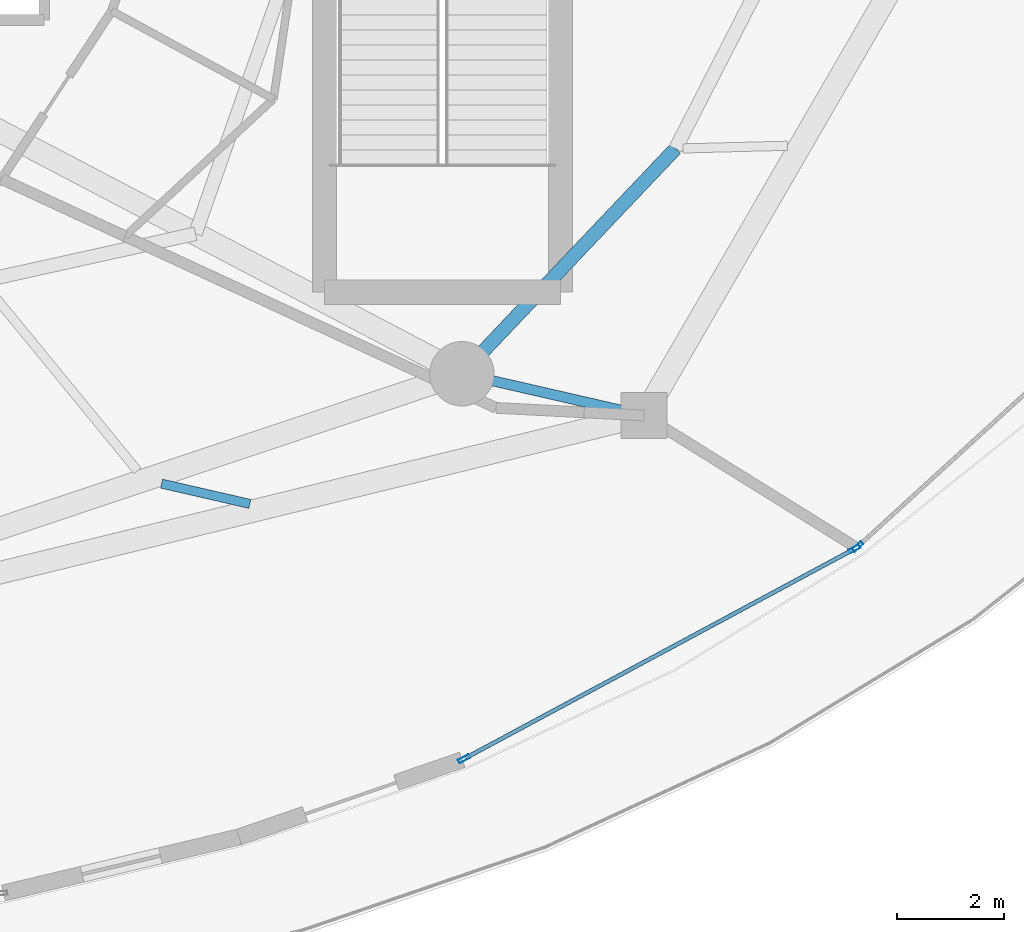
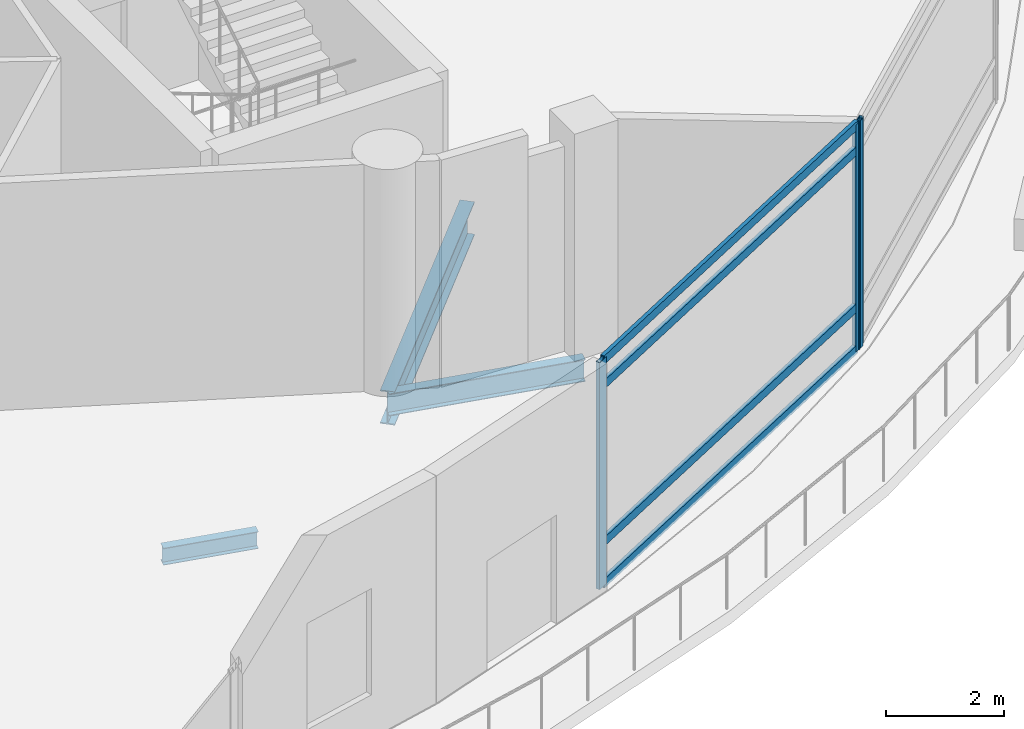
# One storey, part 11 of 36: 7 members, 3 beams, 2 elements without a shape of their own.
"""IFC4 building model written with IfcOpenShell, lengths in metres."""

from ifc_helpers import new_model, si_unit, direction, frame, origin, origin_2d, place, context, subcontext, project, spatial, hollow_rectangle, i_section, extrude, material, layer, layer_set, material_profile, profile_set, type_object, element, aggregate, save


model = new_model("IFC4")

# Units and contexts
model_context = context("Model", 3, precision=1e-05, world=origin(), true_north=direction((0.0, 1.0)))
body_context = subcontext(model_context, "Body", "Model", "MODEL_VIEW")
ifc_project = project(units=[si_unit("LENGTHUNIT", "METRE"), si_unit("AREAUNIT", "SQUARE_METRE"), si_unit("VOLUMEUNIT", "CUBIC_METRE"), si_unit("PLANEANGLEUNIT", "RADIAN"), si_unit("MASSUNIT", "GRAM", prefix="KILO")], contexts=[model_context])

# Site, building, storey
site_placement = place(None, origin())
site = spatial("IfcSite", under=ifc_project, at=site_placement, CompositionType="ELEMENT")
building_placement = place(site_placement, origin())
building = spatial("IfcBuilding", under=site, at=building_placement, Name="Nuhasar Tower", CompositionType="ELEMENT")
storey_placement = place(building_placement, frame((0.0, 0.0, 11.0)))
storey = spatial("IfcBuildingStorey", under=building, at=storey_placement, Name="L02", CompositionType="ELEMENT", Elevation=11.0)

# Beams
ifc_material_1 = material(Name="Steel S355", Category="steel")
ifc_material_profile_1 = material_profile(ifc_material_1, i_section(OverallWidth=0.1708984375, OverallDepth=0.35205078125, WebThickness=0.0068359375, FlangeThickness=0.009765625, at=origin_2d()), Name="W14X30")
ifc_profile_set_1 = profile_set([ifc_material_profile_1], Name="Steel S355")
beam_type_1 = type_object("IfcBeamType", Name="BM-JST-W14X30", PredefinedType="JOIST", material=ifc_profile_set_1)
beam_1_placement = place(storey_placement, frame((51.117919921875, 10.43310546875, -0.47607421875), z_axis=(0.97467582406, -0.223622534626, 0.0), x_axis=(0.223622534626, 0.97467582406, 0.0)))
element("IfcBeam", 1, at=beam_1_placement, inside=storey, type_object=beam_type_1, Name="L02 Podium Secondary Joist 04", PredefinedType="JOIST", context=body_context, shape_type="SweptSolid", body=[
    extrude(i_section(OverallWidth=0.1708984375, OverallDepth=0.35205078125, WebThickness=0.0068359375, FlangeThickness=0.009765625, at=origin_2d()), origin(), (0.0, 0.0, 1.0), 1.686767578125),
])
ifc_material_profile_2 = material_profile(ifc_material_1, i_section(OverallWidth=0.18994140625, OverallDepth=0.45703125, WebThickness=0.009033203125, FlangeThickness=0.014404296875, at=origin_2d()), Name="W18X50")
ifc_profile_set_2 = profile_set([ifc_material_profile_2], Name="Steel S355")
beam_type_2 = type_object("IfcBeamType", Name="BM-RAD-W18X50", PredefinedType="BEAM", material=ifc_profile_set_2)
beam_2_placement = place(storey_placement, frame((56.712890625, 12.48095703125, -0.529052734375), z_axis=(0.974715141502, -0.223451097394, 0.0), x_axis=(0.223451097394, 0.974715141502, 0.0)))
element("IfcBeam", 2, at=beam_2_placement, inside=storey, type_object=beam_type_2, Name="L02 Podium Radial Girder 03", PredefinedType="BEAM", context=body_context, shape_type="SweptSolid", body=[
    extrude(i_section(OverallWidth=0.18994140625, OverallDepth=0.45703125, WebThickness=0.009033203125, FlangeThickness=0.014404296875, at=origin_2d()), origin(), (0.0, 0.0, 1.0), 3.482177734375),
])
ifc_material_profile_3 = material_profile(ifc_material_1, i_section(OverallWidth=0.256103515625, OverallDepth=0.693115234375, WebThickness=0.014404296875, FlangeThickness=0.023681640625, at=origin_2d()), Name="W27X114")
ifc_profile_set_3 = profile_set([ifc_material_profile_3], Name="Steel S355")
beam_type_3 = type_object("IfcBeamType", Name="BM-RING-W27X114", PredefinedType="SPANDREL", material=ifc_profile_set_3)
beam_3_placement = place(storey_placement, frame((56.712890625, 12.48095703125, -0.64697265625), z_axis=(0.688459812429, 0.725274490569, 0.0), x_axis=(-0.725274490569, 0.688459812429, 0.0)))
element("IfcBeam", 3, at=beam_3_placement, inside=storey, type_object=beam_type_3, Name="L02 Mega-Column Perimeter Ring Spandrel 03-1", PredefinedType="SPANDREL", context=body_context, shape_type="SweptSolid", body=[
    extrude(i_section(OverallWidth=0.256103515625, OverallDepth=0.693115234375, WebThickness=0.014404296875, FlangeThickness=0.023681640625, at=origin_2d()), origin(), (0.0, 0.0, 1.0), 5.78271484375),
])

# Curtain wall, members
ifc_material_2 = material(Name="Aluminium 6063-T6", Category="aluminium")
ifc_layer = layer(ifc_material_2, 0.219970703125)
ifc_layer_set = layer_set([ifc_layer], Name="Aluminium 6063-T6")
curtain_wall_type = type_object("IfcCurtainWallType", Name="CW-PODIUM", PredefinedType="NOTDEFINED", material=ifc_layer_set)
curtain_wall_1_placement = place(storey_placement, origin())
curtain_wall_1 = element("IfcCurtainWall", 4, at=curtain_wall_1_placement, inside=storey, type_object=curtain_wall_type, Name="L02 Podium Curtain Wall Bay 21", PredefinedType="NOTDEFINED")
ifc_material_profile_4 = material_profile(ifc_material_2, hollow_rectangle(XDim=0.074951171875, YDim=0.219970703125, WallThickness=0.0048828125, at=origin_2d()), Name="CWM-1")
ifc_profile_set_4 = profile_set([ifc_material_profile_4], Name="Aluminium 6063-T6")
member_type_1 = type_object("IfcMemberType", Name="CW-MUL-S1", PredefinedType="MULLION", material=ifc_profile_set_4)
member_1_placement = place(storey_placement, frame((56.7529296875, 5.3056640625, 0.0), z_axis=(0.0, 0.0, 1.0), x_axis=(-0.473606022453, 0.880736813978, 0.0)))
member_1 = element("IfcMember", 5, at=member_1_placement, type_object=member_type_1, Name="CW-P1 mullion 1", PredefinedType="MULLION", context=body_context, shape_type="SweptSolid", body=[
    extrude(hollow_rectangle(XDim=0.074951171875, YDim=0.219970703125, WallThickness=0.0048828125, at=origin_2d()), origin(), (0.0, 0.0, 1.0), 4.699951171875),
])
member_2_placement = place(storey_placement, frame((64.02685546875, 9.21728515625, 0.0), z_axis=(0.0, 0.0, 1.0), x_axis=(-0.473606022453, 0.880736813978, 0.0)))
member_2 = element("IfcMember", 6, at=member_2_placement, type_object=member_type_1, Name="CW-P1 mullion 2", PredefinedType="MULLION", context=body_context, shape_type="SweptSolid", body=[
    extrude(hollow_rectangle(XDim=0.074951171875, YDim=0.219970703125, WallThickness=0.0048828125, at=origin_2d()), origin(), (0.0, 0.0, 1.0), 4.699951171875),
])

# Curtain wall, member
curtain_wall_2_placement = place(storey_placement, origin())
curtain_wall_2 = element("IfcCurtainWall", 7, at=curtain_wall_2_placement, inside=storey, type_object=curtain_wall_type, Name="L02 Podium Curtain Wall Bay 22", PredefinedType="NOTDEFINED")
member_3_placement = place(storey_placement, frame((64.087646484375, 9.26025390625, 0.0), z_axis=(0.0, 0.0, 1.0), x_axis=(-0.674465166517, 0.738306670127, 0.0)))
member_3 = element("IfcMember", 8, at=member_3_placement, type_object=member_type_1, Name="CW-P1 mullion 1", PredefinedType="MULLION", context=body_context, shape_type="SweptSolid", body=[
    extrude(hollow_rectangle(XDim=0.074951171875, YDim=0.219970703125, WallThickness=0.0048828125, at=origin_2d()), origin(), (0.0, 0.0, 1.0), 4.699951171875),
])
aggregate(curtain_wall_2, [member_3])

# Member
ifc_material_profile_5 = material_profile(ifc_material_2, hollow_rectangle(XDim=0.074951171875, YDim=0.179931640625, WallThickness=0.00439453125, at=origin_2d()), Name="CWT-1")
ifc_profile_set_5 = profile_set([ifc_material_profile_5], Name="Aluminium 6063-T6")
member_type_2 = type_object("IfcMemberType", Name="CW-TRN-S1", PredefinedType="USERDEFINED", material=ifc_profile_set_5)
member_4_placement = place(storey_placement, frame((56.7861328125, 5.323486328125, 0.03759765625), z_axis=(0.880732475628, 0.473614090135, 0.0), x_axis=(-0.473614090135, 0.880732475628, 0.0)))
member_4 = element("IfcMember", 9, at=member_4_placement, type_object=member_type_2, Name="CW-P1 transom 1.1", ObjectType="TRANSOM", PredefinedType="USERDEFINED", context=body_context, shape_type="SweptSolid", body=[
    extrude(hollow_rectangle(XDim=0.074951171875, YDim=0.179931640625, WallThickness=0.00439453125, at=origin_2d()), origin(), (0.0, 0.0, 1.0), 8.183837890625),
])

member_5_placement = place(storey_placement, frame((56.7861328125, 5.323486328125, 0.89990234375), z_axis=(0.880732475628, 0.473614090135, 0.0), x_axis=(-0.473614090135, 0.880732475628, 0.0)))
member_5 = element("IfcMember", 10, at=member_5_placement, type_object=member_type_2, Name="CW-P1 transom 1.2", ObjectType="TRANSOM", PredefinedType="USERDEFINED", context=body_context, shape_type="SweptSolid", body=[
    extrude(hollow_rectangle(XDim=0.074951171875, YDim=0.179931640625, WallThickness=0.00439453125, at=origin_2d()), origin(), (0.0, 0.0, 1.0), 8.183837890625),
])

member_6_placement = place(storey_placement, frame((56.7861328125, 5.323486328125, 4.14990234375), z_axis=(0.880732475628, 0.473614090135, 0.0), x_axis=(-0.473614090135, 0.880732475628, 0.0)))
member_6 = element("IfcMember", 11, at=member_6_placement, type_object=member_type_2, Name="CW-P1 transom 1.3", ObjectType="TRANSOM", PredefinedType="USERDEFINED", context=body_context, shape_type="SweptSolid", body=[
    extrude(hollow_rectangle(XDim=0.074951171875, YDim=0.179931640625, WallThickness=0.00439453125, at=origin_2d()), origin(), (0.0, 0.0, 1.0), 8.183837890625),
])

member_7_placement = place(storey_placement, frame((56.7861328125, 5.323486328125, 4.66259765625), z_axis=(0.880732475628, 0.473614090135, 0.0), x_axis=(-0.473614090135, 0.880732475628, 0.0)))
member_7 = element("IfcMember", 12, at=member_7_placement, type_object=member_type_2, Name="CW-P1 transom 1.4", ObjectType="TRANSOM", PredefinedType="USERDEFINED", context=body_context, shape_type="SweptSolid", body=[
    extrude(hollow_rectangle(XDim=0.074951171875, YDim=0.179931640625, WallThickness=0.00439453125, at=origin_2d()), origin(), (0.0, 0.0, 1.0), 8.183837890625),
])

aggregate(curtain_wall_1, [member_1, member_2, member_4, member_5, member_6, member_7])

save(model, "model.ifc")
